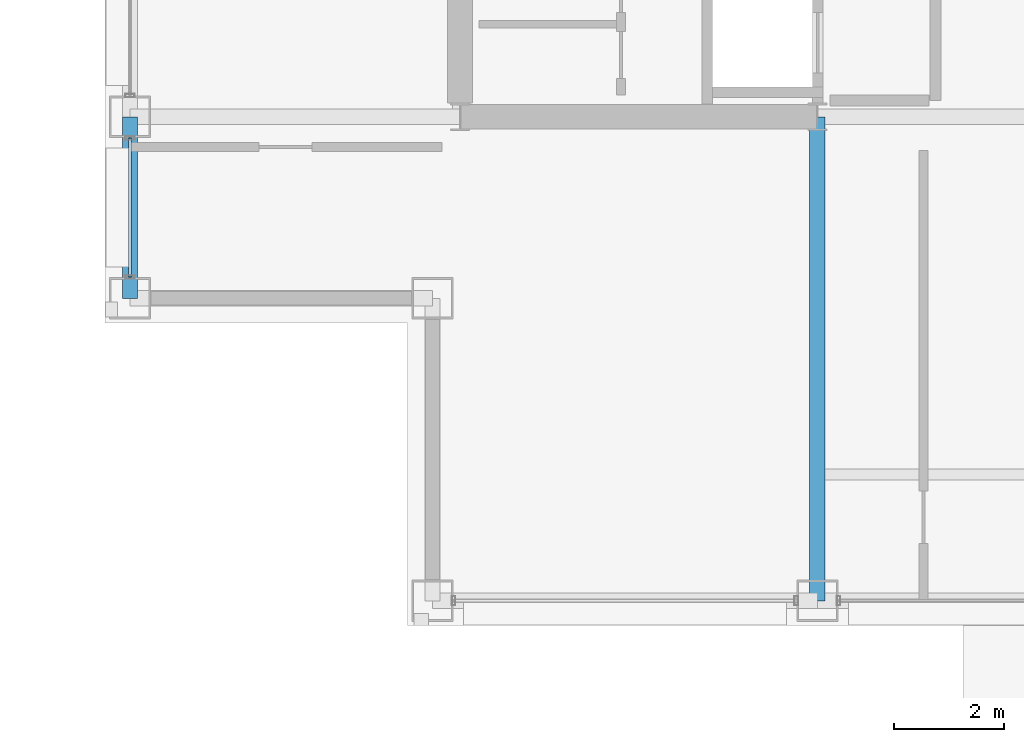
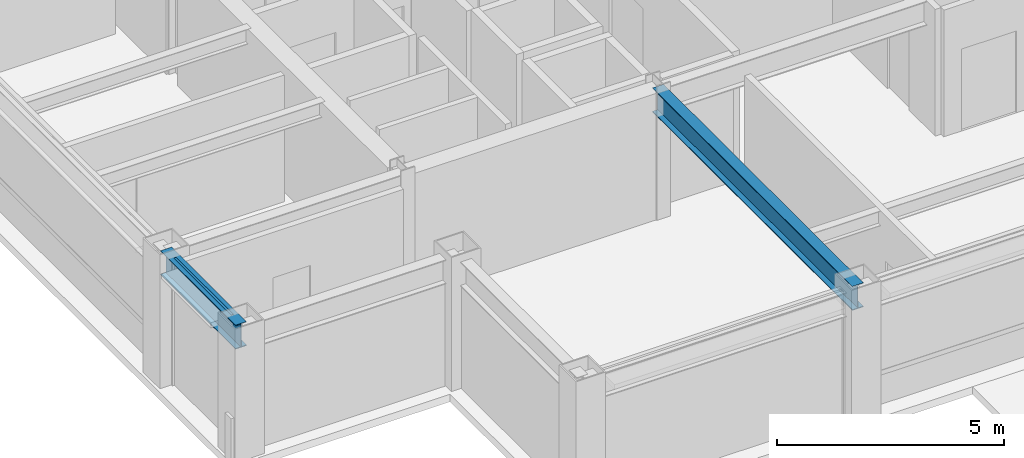
# One storey, part 3 of 26: 2 beams, 1 member, 1 element without a shape of its own.
"""IFC4 building model written with IfcOpenShell, lengths in metres."""

from ifc_helpers import new_model, si_unit, direction, frame, origin, origin_2d, place, context, subcontext, project, spatial, hollow_rectangle, i_section, extrude, material, layer, layer_set, material_profile, profile_set, type_object, element, aggregate, save


model = new_model("IFC4")

# Units and contexts
model_context = context("Model", 3, precision=1e-05, world=origin(), true_north=direction((0.0, 1.0)))
body_context = subcontext(model_context, "Body", "Model", "MODEL_VIEW")
ifc_project = project(units=[si_unit("LENGTHUNIT", "METRE"), si_unit("AREAUNIT", "SQUARE_METRE"), si_unit("VOLUMEUNIT", "CUBIC_METRE"), si_unit("PLANEANGLEUNIT", "RADIAN"), si_unit("MASSUNIT", "GRAM", prefix="KILO")], contexts=[model_context])

# Site, building, storey
site_placement = place(None, origin())
site = spatial("IfcSite", under=ifc_project, at=site_placement, CompositionType="ELEMENT")
building_placement = place(site_placement, origin())
building = spatial("IfcBuilding", under=site, at=building_placement, Name="Brelmoor Portico Tower", CompositionType="ELEMENT")
storey_placement = place(building_placement, frame((0.0, 0.0, 180.300048828125)))
storey = spatial("IfcBuildingStorey", under=building, at=storey_placement, Name="L47", CompositionType="ELEMENT", Elevation=180.300048828125)

# Beams
ifc_material_1 = material(Name="Steel Q355B", Category="steel")
ifc_material_profile_1 = material_profile(ifc_material_1, i_section(OverallWidth=0.280029296875, OverallDepth=0.64990234375, WebThickness=0.012939453125, FlangeThickness=0.02197265625, at=origin_2d()), Name="HN 650x280x13x22")
ifc_profile_set_1 = profile_set([ifc_material_profile_1], Name="Steel Q355B")
beam_type_1 = type_object("IfcBeamType", Name="BM-PG-650", PredefinedType="BEAM", material=ifc_profile_set_1)
beam_1_placement = place(storey_placement, frame((-8.050048828125, -18.550048828125, 3.074951171875), z_axis=(0.0, 1.0, 0.0), x_axis=(-1.0, 0.0, 0.0)))
element("IfcBeam", 1, at=beam_1_placement, inside=storey, type_object=beam_type_1, Name="L47 Primary Floor Girder PG-03", PredefinedType="BEAM", context=body_context, shape_type="SweptSolid", body=[
    extrude(i_section(OverallWidth=0.280029296875, OverallDepth=0.64990234375, WebThickness=0.012939453125, FlangeThickness=0.02197265625, at=origin_2d()), origin(), (0.0, 0.0, 1.0), 8.800048828125),
])
ifc_material_profile_2 = material_profile(ifc_material_1, i_section(OverallWidth=0.280029296875, OverallDepth=0.64990234375, WebThickness=0.012939453125, FlangeThickness=0.02197265625, at=origin_2d()), Name="HN 650x280x13x22")
ifc_profile_set_2 = profile_set([ifc_material_profile_2], Name="Steel Q355B")
beam_type_2 = type_object("IfcBeamType", Name="BM-SP-650", PredefinedType="SPANDREL", material=ifc_profile_set_2)
beam_2_placement = place(storey_placement, frame((-20.550048828125, -13.050048828125, 3.074951171875), z_axis=(0.0, 1.0, 0.0), x_axis=(-1.0, 0.0, 0.0)))
element("IfcBeam", 2, at=beam_2_placement, inside=storey, type_object=beam_type_2, Name="L47 Perimeter Spandrel Beam SP-11", PredefinedType="SPANDREL", context=body_context, shape_type="SweptSolid", body=[
    extrude(i_section(OverallWidth=0.280029296875, OverallDepth=0.64990234375, WebThickness=0.012939453125, FlangeThickness=0.02197265625, at=origin_2d()), origin(), (0.0, 0.0, 1.0), 3.300048828125),
])

# Curtain wall, member
ifc_material_2 = material(Name="Anodised Aluminium Alloy 6063-T6", Category="aluminium")
ifc_layer = layer(ifc_material_2, 0.179931640625)
ifc_layer_set = layer_set([ifc_layer], Name="Anodised Aluminium Alloy 6063-T6")
curtain_wall_type = type_object("IfcCurtainWallType", Name="CW-TOWER-Z3-XB", PredefinedType="NOTDEFINED", material=ifc_layer_set)
curtain_wall_placement = place(storey_placement, origin())
curtain_wall = element("IfcCurtainWall", 3, at=curtain_wall_placement, inside=storey, type_object=curtain_wall_type, Name="L47 Curtain Wall CW-L47-03-1", PredefinedType="NOTDEFINED")
ifc_material_profile_3 = material_profile(ifc_material_2, hollow_rectangle(XDim=0.06005859375, YDim=0.125, WallThickness=0.00341796875, at=origin_2d()), Name="ALU TRANSOM 60x125")
ifc_profile_set_3 = profile_set([ifc_material_profile_3], Name="Anodised Aluminium Alloy 6063-T6")
member_type = type_object("IfcMemberType", Name="MB-CW-TRAN-125", PredefinedType="USERDEFINED", material=ifc_profile_set_3)
member_placement = place(storey_placement, frame((-20.550048828125, -12.6650390625, 3.33740234375), z_axis=(0.0, 1.0, 0.0), x_axis=(-1.0, 0.0, 0.0)))
member = element("IfcMember", 4, at=member_placement, type_object=member_type, Name="CW-L47-03-1 Transom 1-00", ObjectType="TRANSOM", PredefinedType="USERDEFINED", context=body_context, shape_type="SweptSolid", body=[
    extrude(hollow_rectangle(XDim=0.06005859375, YDim=0.125, WallThickness=0.00341796875, at=origin_2d()), origin(), (0.0, 0.0, 1.0), 2.530029296875),
])
aggregate(curtain_wall, [member])

save(model, "model.ifc")
